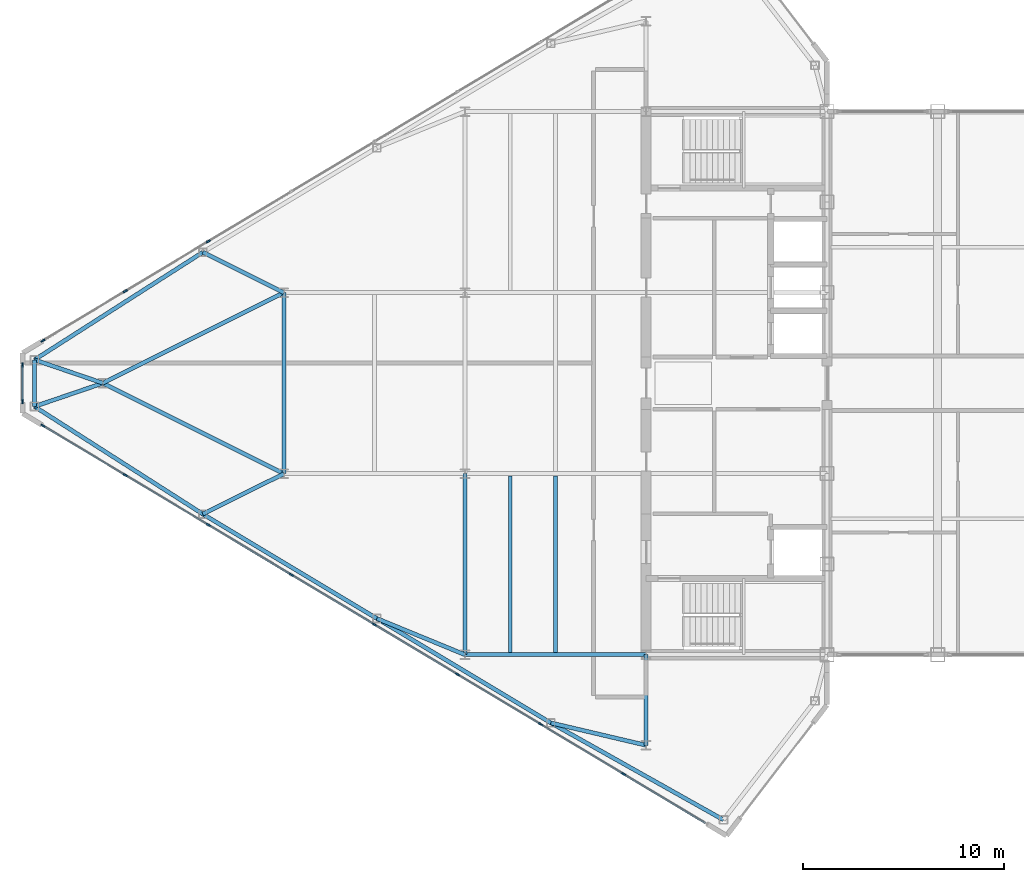
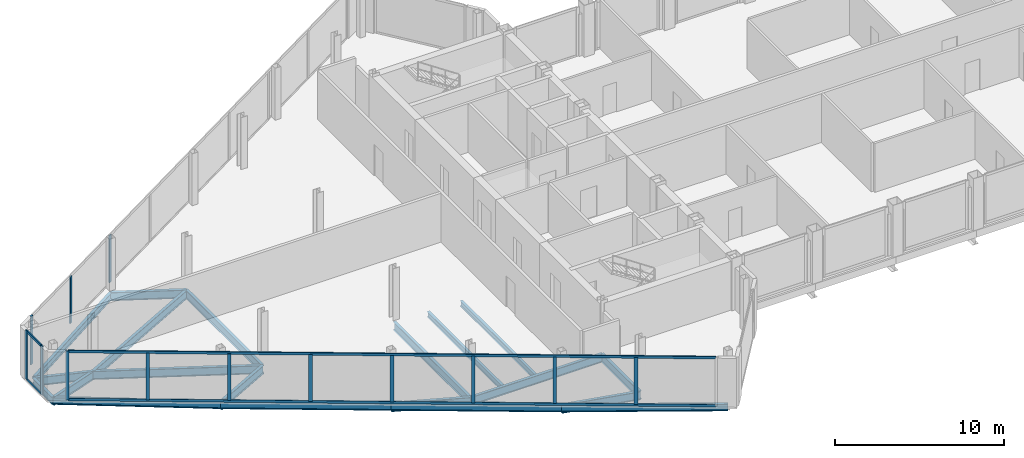
# One storey, part 8 of 28: 20 beams, 17 members, 3 elements without a shape of their own.
"""IFC4 building model written with IfcOpenShell, lengths in metres."""

from ifc_helpers import new_model, si_unit, direction, frame, origin, origin_2d, place, context, subcontext, project, spatial, rectangle, i_section, extrude, source, transform, mapped, material, layer, layer_set, material_profile, profile_set, type_object, type_shapes, element, aggregate, save


model = new_model("IFC4")

# Units and contexts
model_context = context("Model", 3, precision=1e-05, world=origin(), true_north=direction((0.0, 1.0)))
body_context = subcontext(model_context, "Body", "Model", "MODEL_VIEW")
ifc_project = project(units=[si_unit("LENGTHUNIT", "METRE"), si_unit("AREAUNIT", "SQUARE_METRE"), si_unit("VOLUMEUNIT", "CUBIC_METRE"), si_unit("PLANEANGLEUNIT", "RADIAN"), si_unit("MASSUNIT", "GRAM", prefix="KILO")], contexts=[model_context])

# Site, building, storey
site_placement = place(None, origin())
site = spatial("IfcSite", under=ifc_project, at=site_placement, CompositionType="ELEMENT")
building_placement = place(site_placement, origin())
building = spatial("IfcBuilding", under=site, at=building_placement, Name="Seokmaru Belvedere", CompositionType="ELEMENT")
storey_placement = place(building_placement, frame((0.0, 0.0, 261.89990234375)))
storey = spatial("IfcBuildingStorey", under=building, at=storey_placement, Name="L69", CompositionType="ELEMENT", Elevation=261.89990234375)

# Beams
ifc_material_1 = material(Name="Steel SM355 (355 MPa)", Category="steel")
ifc_material_profile_1 = material_profile(ifc_material_1, i_section(OverallWidth=0.199951171875, OverallDepth=0.60009765625, WebThickness=0.010986328125, FlangeThickness=0.01708984375, at=origin_2d()), Name="H-600x200x11x17")
ifc_profile_set_1 = profile_set([ifc_material_profile_1], Name="Steel SM355 (355 MPa)")
beam_type_1 = type_object("IfcBeamType", Name="Primary Floor Girder H-600", PredefinedType="BEAM", material=ifc_profile_set_1)
shared_shape_1 = source(origin(), body_context, "Body", "SweptSolid", [
    extrude(i_section(OverallWidth=0.199951171875, OverallDepth=0.60009765625, WebThickness=0.010986328125, FlangeThickness=0.01708984375, at=origin_2d()), origin(), (0.0, 0.0, 1.0), 9.0),
])
for number, where, z_axis, x_axis, name in (
    (1, (-45.5, -13.5, -0.52001953125), (0.0, 1.0, 0.0), (-1.0, 0.0, 0.0), "L69 W Interior Grid Girder 1"),
    (2, (-45.5, -13.5, -0.52001953125), (1.0, 0.0, 0.0), (0.0, 1.0, 0.0), "L69 W Wing Primary Girder 1"),
    (3, (-54.5, -4.5, -0.52001953125), (0.0, 1.0, 0.0), (-1.0, 0.0, 0.0), "L69 W Apex Frame Girder"),
):
    element("IfcBeam", number, at=place(storey_placement, frame(where, z_axis=z_axis, x_axis=x_axis)), inside=storey, type_object=beam_type_1, Name=name, PredefinedType="BEAM", context=body_context, shape_type="MappedRepresentation", body=[
        mapped(shared_shape_1, transform((0.0, 0.0, 0.0), scale=1.0)),
    ])
shared_shape_2 = source(origin(), body_context, "Body", "SweptSolid", [
    extrude(i_section(OverallWidth=0.199951171875, OverallDepth=0.60009765625, WebThickness=0.010986328125, FlangeThickness=0.01708984375, at=origin_2d()), origin(), (0.0, 0.0, 1.0), 10.062255859375),
])
for number, where, z_axis, x_axis, name in (
    (4, (-54.5, -4.5, -0.52001953125), (-0.894427191, 0.4472135955, 0.0), (-0.4472135955, -0.894427191, 0.0), "L69 W Apex Converging Girder 1"),
    (5, (-54.5, 4.5, -0.52001953125), (-0.894427191, -0.4472135955, 0.0), (0.4472135955, -0.894427191, 0.0), "L69 W Apex Converging Girder 2"),
):
    element("IfcBeam", number, at=place(storey_placement, frame(where, z_axis=z_axis, x_axis=x_axis)), inside=storey, type_object=beam_type_1, Name=name, PredefinedType="BEAM", context=body_context, shape_type="MappedRepresentation", body=[
        mapped(shared_shape_2, transform((0.0, 0.0, 0.0), scale=1.0)),
    ])
ifc_material_profile_2 = material_profile(ifc_material_1, i_section(OverallWidth=0.18505859375, OverallDepth=0.389892578125, WebThickness=0.008056640625, FlangeThickness=0.011962890625, at=origin_2d()), Name="H-390x185x8x12")
ifc_profile_set_2 = profile_set([ifc_material_profile_2], Name="Steel SM355 (355 MPa)")
beam_type_2 = type_object("IfcBeamType", Name="Secondary Floor Joist H-350", PredefinedType="JOIST", material=ifc_profile_set_2)
shared_shape_3 = source(origin(), body_context, "Body", "SweptSolid", [
    extrude(i_section(OverallWidth=0.18505859375, OverallDepth=0.389892578125, WebThickness=0.008056640625, FlangeThickness=0.011962890625, at=origin_2d()), origin(), (0.0, 0.0, 1.0), 8.7900390625),
])
type_shapes(beam_type_2, [shared_shape_3])
for number, where, z_axis, x_axis, name in (
    (6, (-43.25, -13.39501953125, -0.414794921875), (0.0, 1.0, 0.0), (-1.0, 0.0, 0.0), "L69 W Wing Inner Secondary Joist 1"),
    (7, (-41.0, -13.39501953125, -0.414794921875), (0.0, 1.0, 0.0), (-1.0, 0.0, 0.0), "L69 W Secondary Floor Joist 1"),
):
    element("IfcBeam", number, at=place(storey_placement, frame(where, z_axis=z_axis, x_axis=x_axis)), inside=storey, type_object=beam_type_2, Name=name, PredefinedType="JOIST", context=body_context, shape_type="MappedRepresentation", body=[
        mapped(shared_shape_3, transform((0.0, 0.0, 0.0), scale=1.0)),
    ])
shared_shape_4 = source(origin(), body_context, "Body", "SweptSolid", [
    extrude(i_section(OverallWidth=0.199951171875, OverallDepth=0.60009765625, WebThickness=0.010986328125, FlangeThickness=0.01708984375, at=origin_2d()), origin(), (0.0, 0.0, 1.0), 4.5),
])
beam_1_placement = place(storey_placement, frame((-36.5, -18.0, -0.52001953125), z_axis=(0.0, 1.0, 0.0), x_axis=(-1.0, 0.0, 0.0)))
element("IfcBeam", 8, at=beam_1_placement, inside=storey, type_object=beam_type_1, Name="L69 W Core Shoulder Girder S", PredefinedType="BEAM", context=body_context, shape_type="MappedRepresentation", body=[
    mapped(shared_shape_4, transform((0.0, 0.0, 0.0), scale=1.0)),
])
ifc_material_profile_3 = material_profile(ifc_material_1, i_section(OverallWidth=0.199951171875, OverallDepth=0.5, WebThickness=0.010009765625, FlangeThickness=0.01611328125, at=origin_2d()), Name="H-500x200x10x16")
ifc_profile_set_3 = profile_set([ifc_material_profile_3], Name="Steel SM355 (355 MPa)")
beam_type_3 = type_object("IfcBeamType", Name="Perimeter Spandrel Beam H-500", PredefinedType="SPANDREL", material=ifc_profile_set_3)
shared_shape_5 = source(origin(), body_context, "Body", "SweptSolid", [
    extrude(i_section(OverallWidth=0.199951171875, OverallDepth=0.5, WebThickness=0.010009765625, FlangeThickness=0.01611328125, at=origin_2d()), origin(), (0.0, 0.0, 1.0), 9.842041015625),
])
beam_2_placement = place(storey_placement, frame((-32.649658203125, -21.71044921875, -0.469970703125), z_axis=(-0.871782151818, 0.489893743349, 0.0), x_axis=(-0.489893743349, -0.871782151818, 0.0)))
element("IfcBeam", 9, at=beam_2_placement, inside=storey, type_object=beam_type_3, Name="L69 W Faceted Flank Spandrel S-1", PredefinedType="SPANDREL", context=body_context, shape_type="MappedRepresentation", body=[
    mapped(shared_shape_5, transform((0.0, 0.0, 0.0), scale=1.0)),
])
shared_shape_6 = source(origin(), body_context, "Body", "SweptSolid", [
    extrude(i_section(OverallWidth=0.199951171875, OverallDepth=0.5, WebThickness=0.010009765625, FlangeThickness=0.01611328125, at=origin_2d()), origin(), (0.0, 0.0, 1.0), 10.087646484375),
])
for number, where, z_axis, x_axis, name in (
    (10, (-41.229736328125, -16.888916015625, -0.469970703125), (-0.857499332045, 0.514485078056, 0.0), (-0.514485078056, -0.857499332045, 0.0), "L69 W Faceted Flank Spandrel S-2"),
    (11, (-49.8798828125, -11.698974609375, -0.469970703125), (-0.857488654804, 0.514502873542, 0.0), (-0.514502873542, -0.857488654804, 0.0), "L69 W Faceted Flank Spandrel S-3"),
):
    element("IfcBeam", number, at=place(storey_placement, frame(where, z_axis=z_axis, x_axis=x_axis)), inside=storey, type_object=beam_type_3, Name=name, PredefinedType="SPANDREL", context=body_context, shape_type="MappedRepresentation", body=[
        mapped(shared_shape_6, transform((0.0, 0.0, 0.0), scale=1.0)),
    ])
shared_shape_7 = source(origin(), body_context, "Body", "SweptSolid", [
    extrude(i_section(OverallWidth=0.199951171875, OverallDepth=0.5, WebThickness=0.010009765625, FlangeThickness=0.01611328125, at=origin_2d()), origin(), (0.0, 0.0, 1.0), 9.932861328125),
])
for number, where, z_axis, x_axis, name in (
    (12, (-58.530029296875, -6.5087890625, -0.469970703125), (-0.842651960357, 0.538458609093, 0.0), (-0.538458609093, -0.842651960357, 0.0), "L69 W Faceted Flank Spandrel S-4"),
    (13, (-58.530029296875, 6.5087890625, -0.469970703125), (-0.842651960357, -0.538458609093, 0.0), (0.538458609093, -0.842651960357, 0.0), "L69 W Faceted Flank Spandrel N-4"),
):
    element("IfcBeam", number, at=place(storey_placement, frame(where, z_axis=z_axis, x_axis=x_axis)), inside=storey, type_object=beam_type_3, Name=name, PredefinedType="SPANDREL", context=body_context, shape_type="MappedRepresentation", body=[
        mapped(shared_shape_7, transform((0.0, 0.0, 0.0), scale=1.0)),
    ])
shared_shape_8 = source(origin(), body_context, "Body", "SweptSolid", [
    extrude(i_section(OverallWidth=0.199951171875, OverallDepth=0.5, WebThickness=0.010009765625, FlangeThickness=0.01611328125, at=origin_2d()), origin(), (0.0, 0.0, 1.0), 2.32080078125),
])
type_shapes(beam_type_3, [shared_shape_5, shared_shape_6, shared_shape_7, shared_shape_8])
beam_3_placement = place(storey_placement, frame((-66.89990234375, -1.160400390625, -0.469970703125), z_axis=(0.0, 1.0, 0.0), x_axis=(-1.0, 0.0, 0.0)))
element("IfcBeam", 14, at=beam_3_placement, inside=storey, type_object=beam_type_3, Name="L69 W Faceted Apex Spandrel", PredefinedType="SPANDREL", context=body_context, shape_type="MappedRepresentation", body=[
    mapped(shared_shape_8, transform((0.0, 0.0, 0.0), scale=1.0)),
])
shared_shape_9 = source(origin(), body_context, "Body", "SweptSolid", [
    extrude(i_section(OverallWidth=0.199951171875, OverallDepth=0.60009765625, WebThickness=0.010986328125, FlangeThickness=0.01708984375, at=origin_2d()), origin(), (0.0, 0.0, 1.0), 4.8583984375),
])
beam_4_placement = place(storey_placement, frame((-41.229736328125, -16.888916015625, -0.52001953125), z_axis=(0.97349948295, -0.228689214211, 0.0), x_axis=(0.228689214211, 0.97349948295, 0.0)))
element("IfcBeam", 15, at=beam_4_placement, inside=storey, type_object=beam_type_1, Name="L69 W Flank Radial Floor Girder S-1", PredefinedType="BEAM", context=body_context, shape_type="MappedRepresentation", body=[
    mapped(shared_shape_9, transform((0.0, 0.0, 0.0), scale=1.0)),
])
shared_shape_10 = source(origin(), body_context, "Body", "SweptSolid", [
    extrude(i_section(OverallWidth=0.199951171875, OverallDepth=0.60009765625, WebThickness=0.010986328125, FlangeThickness=0.01708984375, at=origin_2d()), origin(), (0.0, 0.0, 1.0), 4.73583984375),
])
beam_5_placement = place(storey_placement, frame((-49.8798828125, -11.698974609375, -0.52001953125), z_axis=(0.924860562953, -0.380306375301, 0.0), x_axis=(0.380306375301, 0.924860562953, 0.0)))
element("IfcBeam", 16, at=beam_5_placement, inside=storey, type_object=beam_type_1, Name="L69 W Flank Radial Floor Girder S-2", PredefinedType="BEAM", context=body_context, shape_type="MappedRepresentation", body=[
    mapped(shared_shape_10, transform((0.0, 0.0, 0.0), scale=1.0)),
])
shared_shape_11 = source(origin(), body_context, "Body", "SweptSolid", [
    extrude(i_section(OverallWidth=0.199951171875, OverallDepth=0.60009765625, WebThickness=0.010986328125, FlangeThickness=0.01708984375, at=origin_2d()), origin(), (0.0, 0.0, 1.0), 4.5029296875),
])
for number, where, z_axis, x_axis, name in (
    (17, (-58.530029296875, -6.5087890625, -0.52001953125), (0.894979532585, 0.446107202648, 0.0), (-0.446107202648, 0.894979532585, 0.0), "L69 W Flank Radial Floor Girder S-3"),
    (18, (-58.530029296875, 6.5087890625, -0.52001953125), (0.894979532585, -0.446107202648, 0.0), (0.446107202648, 0.894979532585, 0.0), "L69 W Flank Radial Floor Girder N-3"),
):
    element("IfcBeam", number, at=place(storey_placement, frame(where, z_axis=z_axis, x_axis=x_axis)), inside=storey, type_object=beam_type_1, Name=name, PredefinedType="BEAM", context=body_context, shape_type="MappedRepresentation", body=[
        mapped(shared_shape_11, transform((0.0, 0.0, 0.0), scale=1.0)),
    ])
shared_shape_12 = source(origin(), body_context, "Body", "SweptSolid", [
    extrude(i_section(OverallWidth=0.199951171875, OverallDepth=0.60009765625, WebThickness=0.010986328125, FlangeThickness=0.01708984375, at=origin_2d()), origin(), (0.0, 0.0, 1.0), 3.592529296875),
])
type_shapes(beam_type_1, [shared_shape_1, shared_shape_2, shared_shape_4, shared_shape_9, shared_shape_10, shared_shape_11, shared_shape_12])
for number, where, z_axis, x_axis, name in (
    (19, (-66.89990234375, -1.160400390625, -0.52001953125), (0.946395973048, 0.323008764893, 0.0), (-0.323008764893, 0.946395973048, 0.0), "L69 W Apex Radial Floor Girder 1"),
    (20, (-66.89990234375, 1.160400390625, -0.52001953125), (0.946395973048, -0.323008764893, 0.0), (0.323008764893, 0.946395973048, 0.0), "L69 W Apex Radial Floor Girder 2"),
):
    element("IfcBeam", number, at=place(storey_placement, frame(where, z_axis=z_axis, x_axis=x_axis)), inside=storey, type_object=beam_type_1, Name=name, PredefinedType="BEAM", context=body_context, shape_type="MappedRepresentation", body=[
        mapped(shared_shape_12, transform((0.0, 0.0, 0.0), scale=1.0)),
    ])

# Curtain wall, members
ifc_material_2 = material(Name="Bronze Triple Insulating Glass", Category="glass")
ifc_layer = layer(ifc_material_2, 0.219970703125)
ifc_layer_set = layer_set([ifc_layer], Name="Bronze Triple Insulating Glass")
curtain_wall_type = type_object("IfcCurtainWallType", Name="Sky-Gate Bridge Panorama Curtain Wall System CW-6", PredefinedType="NOTDEFINED", material=ifc_layer_set)
curtain_wall_1_placement = place(storey_placement, origin())
curtain_wall_1 = element("IfcCurtainWall", 21, at=curtain_wall_1_placement, inside=storey, type_object=curtain_wall_type, Name="L69 Curtain Wall WF5", PredefinedType="NOTDEFINED")
ifc_material_3 = material(Name="Anodised Bronze Aluminium", Category="aluminium")
ifc_material_profile_4 = material_profile(ifc_material_3, rectangle(XDim=0.074951171875, YDim=0.179931640625, at=origin_2d()), Name="CW-T-75x180")
ifc_profile_set_4 = profile_set([ifc_material_profile_4], Name="Anodised Bronze Aluminium")
member_type_1 = type_object("IfcMemberType", Name="Bronze Unitised Transom 75x180", PredefinedType="USERDEFINED", material=ifc_profile_set_4)
shared_shape_13 = source(origin(), body_context, "Body", "SweptSolid", [
    extrude(rectangle(XDim=0.074951171875, YDim=0.179931640625, at=origin_2d()), origin(), (0.0, 0.0, 1.0), 38.356689453125),
])
member_1_placement = place(storey_placement, frame((-66.4453125, -2.1328125, 0.03759765625), z_axis=(0.857492925713, -0.514495755428, 0.0), x_axis=(0.514495755428, 0.857492925713, 0.0)))
member_1 = element("IfcMember", 22, at=member_1_placement, type_object=member_type_1, Name="CW:L69:WF5 Continuous Transom 1", ObjectType="TRANSOM", PredefinedType="USERDEFINED", context=body_context, shape_type="MappedRepresentation", body=[
    mapped(shared_shape_13, transform((0.0, 0.0, 0.0), scale=1.0)),
])
member_2_placement = place(storey_placement, frame((-66.4453125, -2.1328125, 3.49267578125), z_axis=(0.857492925713, -0.514495755428, 0.0), x_axis=(0.514495755428, 0.857492925713, 0.0)))
member_2 = element("IfcMember", 23, at=member_2_placement, type_object=member_type_1, Name="CW:L69:WF5 Continuous Transom 2", ObjectType="TRANSOM", PredefinedType="USERDEFINED", context=body_context, shape_type="MappedRepresentation", body=[
    mapped(shared_shape_13, transform((0.0, 0.0, 0.0), scale=1.0)),
])

curtain_wall_2_placement = place(storey_placement, origin())
curtain_wall_2 = element("IfcCurtainWall", 24, at=curtain_wall_2_placement, inside=storey, type_object=curtain_wall_type, Name="L69 Curtain Wall WF4", PredefinedType="NOTDEFINED")
shared_shape_14 = source(origin(), body_context, "Body", "SweptSolid", [
    extrude(rectangle(XDim=0.074951171875, YDim=0.179931640625, at=origin_2d()), origin(), (0.0, 0.0, 1.0), 1.740234375),
])
type_shapes(member_type_1, [shared_shape_13, shared_shape_14])
member_3_placement = place(storey_placement, frame((-67.5, 0.8701171875, 0.03759765625), z_axis=(0.0, -1.0, 0.0), x_axis=(1.0, 0.0, 0.0)))
member_3 = element("IfcMember", 25, at=member_3_placement, type_object=member_type_1, Name="CW:L69:WF4 Continuous Transom 1", ObjectType="TRANSOM", PredefinedType="USERDEFINED", context=body_context, shape_type="MappedRepresentation", body=[
    mapped(shared_shape_14, transform((0.0, 0.0, 0.0), scale=1.0)),
])
member_4_placement = place(storey_placement, frame((-67.5, 0.8701171875, 3.49267578125), z_axis=(0.0, -1.0, 0.0), x_axis=(1.0, 0.0, 0.0)))
member_4 = element("IfcMember", 26, at=member_4_placement, type_object=member_type_1, Name="CW:L69:WF4 Continuous Transom 2", ObjectType="TRANSOM", PredefinedType="USERDEFINED", context=body_context, shape_type="MappedRepresentation", body=[
    mapped(shared_shape_14, transform((0.0, 0.0, 0.0), scale=1.0)),
])

# Curtain wall, member
curtain_wall_3_placement = place(storey_placement, origin())
curtain_wall_3 = element("IfcCurtainWall", 27, at=curtain_wall_3_placement, inside=storey, type_object=curtain_wall_type, Name="L69 Curtain Wall WF3", PredefinedType="NOTDEFINED")
ifc_material_profile_5 = material_profile(ifc_material_3, rectangle(XDim=0.080078125, YDim=0.219970703125, at=origin_2d()), Name="CW-M-80x220")
ifc_profile_set_5 = profile_set([ifc_material_profile_5], Name="Anodised Bronze Aluminium")
member_type_2 = type_object("IfcMemberType", Name="Bronze Unitised Mullion 80x220", PredefinedType="MULLION", material=ifc_profile_set_5)
shared_shape_15 = source(origin(), body_context, "Body", "SweptSolid", [
    extrude(rectangle(XDim=0.080078125, YDim=0.219970703125, at=origin_2d()), origin(), (0.0, 0.0, 1.0), 3.530029296875),
])
member_5_placement = place(storey_placement, frame((-66.4794921875, 2.1123046875, 0.0), z_axis=(0.0, 0.0, 1.0), x_axis=(0.514494909364, -0.85749343335, 0.0)))
member_5 = element("IfcMember", 28, at=member_5_placement, type_object=member_type_2, Name="CW:L69:WF3 Mullion 9", PredefinedType="MULLION", context=body_context, shape_type="MappedRepresentation", body=[
    mapped(shared_shape_15, transform((0.0, 0.0, 0.0), scale=1.0)),
])

# Member
member_6_placement = place(storey_placement, frame((-67.5, 0.909912109375, 0.0), z_axis=(0.0, 0.0, 1.0), x_axis=(1.0, 0.0, 0.0)))
member_6 = element("IfcMember", 29, at=member_6_placement, type_object=member_type_2, Name="CW:L69:WF4 Mullion 1", PredefinedType="MULLION", context=body_context, shape_type="MappedRepresentation", body=[
    mapped(shared_shape_15, transform((0.0, 0.0, 0.0), scale=1.0)),
])

member_7_placement = place(storey_placement, frame((-67.5, -0.909912109375, 0.0), z_axis=(0.0, 0.0, 1.0), x_axis=(1.0, 0.0, 0.0)))
member_7 = element("IfcMember", 30, at=member_7_placement, type_object=member_type_2, Name="CW:L69:WF4 Mullion 2", PredefinedType="MULLION", context=body_context, shape_type="MappedRepresentation", body=[
    mapped(shared_shape_15, transform((0.0, 0.0, 0.0), scale=1.0)),
])

aggregate(curtain_wall_2, [member_6, member_7, member_3, member_4])

member_8_placement = place(storey_placement, frame((-66.4794921875, -2.1123046875, 0.0), z_axis=(0.0, 0.0, 1.0), x_axis=(0.514494909364, 0.85749343335, 0.0)))
member_8 = element("IfcMember", 31, at=member_8_placement, type_object=member_type_2, Name="CW:L69:WF5 Mullion 1", PredefinedType="MULLION", context=body_context, shape_type="MappedRepresentation", body=[
    mapped(shared_shape_15, transform((0.0, 0.0, 0.0), scale=1.0)),
])

shared_shape_16 = source(origin(), body_context, "Body", "SweptSolid", [
    extrude(rectangle(XDim=0.080078125, YDim=0.219970703125, at=origin_2d()), origin(), (0.0, 0.0, 1.0), 3.3798828125),
])
type_shapes(member_type_2, [shared_shape_15, shared_shape_16])
member_9_placement = place(storey_placement, frame((-58.257080078125, 7.0458984375, 0.0751953125), z_axis=(0.0, 0.0, 1.0), x_axis=(0.514494909364, -0.85749343335, 0.0)))
member_9 = element("IfcMember", 32, at=member_9_placement, type_object=member_type_2, Name="CW:L69:WF3 Mullion 7", PredefinedType="MULLION", context=body_context, shape_type="MappedRepresentation", body=[
    mapped(shared_shape_16, transform((0.0, 0.0, 0.0), scale=1.0)),
])

member_10_placement = place(storey_placement, frame((-62.385498046875, 4.56884765625, 0.0751953125), z_axis=(0.0, 0.0, 1.0), x_axis=(0.514494909364, -0.85749343335, 0.0)))
member_10 = element("IfcMember", 33, at=member_10_placement, type_object=member_type_2, Name="CW:L69:WF3 Mullion 8", PredefinedType="MULLION", context=body_context, shape_type="MappedRepresentation", body=[
    mapped(shared_shape_16, transform((0.0, 0.0, 0.0), scale=1.0)),
])

aggregate(curtain_wall_3, [member_9, member_10, member_5])

member_11_placement = place(storey_placement, frame((-62.385498046875, -4.56884765625, 0.0751953125), z_axis=(0.0, 0.0, 1.0), x_axis=(0.514494909364, 0.85749343335, 0.0)))
member_11 = element("IfcMember", 34, at=member_11_placement, type_object=member_type_2, Name="CW:L69:WF5 Mullion 2", PredefinedType="MULLION", context=body_context, shape_type="MappedRepresentation", body=[
    mapped(shared_shape_16, transform((0.0, 0.0, 0.0), scale=1.0)),
])

member_12_placement = place(storey_placement, frame((-58.257080078125, -7.0458984375, 0.0751953125), z_axis=(0.0, 0.0, 1.0), x_axis=(0.514494909364, 0.85749343335, 0.0)))
member_12 = element("IfcMember", 35, at=member_12_placement, type_object=member_type_2, Name="CW:L69:WF5 Mullion 3", PredefinedType="MULLION", context=body_context, shape_type="MappedRepresentation", body=[
    mapped(shared_shape_16, transform((0.0, 0.0, 0.0), scale=1.0)),
])

member_13_placement = place(storey_placement, frame((-54.12841796875, -9.52294921875, 0.0751953125), z_axis=(0.0, 0.0, 1.0), x_axis=(0.514494909364, 0.85749343335, 0.0)))
member_13 = element("IfcMember", 36, at=member_13_placement, type_object=member_type_2, Name="CW:L69:WF5 Mullion 4", PredefinedType="MULLION", context=body_context, shape_type="MappedRepresentation", body=[
    mapped(shared_shape_16, transform((0.0, 0.0, 0.0), scale=1.0)),
])

member_14_placement = place(storey_placement, frame((-50.0, -12.0, 0.0751953125), z_axis=(0.0, 0.0, 1.0), x_axis=(0.514494909364, 0.85749343335, 0.0)))
member_14 = element("IfcMember", 37, at=member_14_placement, type_object=member_type_2, Name="CW:L69:WF5 Mullion 5", PredefinedType="MULLION", context=body_context, shape_type="MappedRepresentation", body=[
    mapped(shared_shape_16, transform((0.0, 0.0, 0.0), scale=1.0)),
])

member_15_placement = place(storey_placement, frame((-45.87158203125, -14.47705078125, 0.0751953125), z_axis=(0.0, 0.0, 1.0), x_axis=(0.514494909364, 0.85749343335, 0.0)))
member_15 = element("IfcMember", 38, at=member_15_placement, type_object=member_type_2, Name="CW:L69:WF5 Mullion 6", PredefinedType="MULLION", context=body_context, shape_type="MappedRepresentation", body=[
    mapped(shared_shape_16, transform((0.0, 0.0, 0.0), scale=1.0)),
])

member_16_placement = place(storey_placement, frame((-41.742919921875, -16.9541015625, 0.0751953125), z_axis=(0.0, 0.0, 1.0), x_axis=(0.514494909364, 0.85749343335, 0.0)))
member_16 = element("IfcMember", 39, at=member_16_placement, type_object=member_type_2, Name="CW:L69:WF5 Mullion 7", PredefinedType="MULLION", context=body_context, shape_type="MappedRepresentation", body=[
    mapped(shared_shape_16, transform((0.0, 0.0, 0.0), scale=1.0)),
])

member_17_placement = place(storey_placement, frame((-37.614501953125, -19.43115234375, 0.0751953125), z_axis=(0.0, 0.0, 1.0), x_axis=(0.514494909364, 0.85749343335, 0.0)))
member_17 = element("IfcMember", 40, at=member_17_placement, type_object=member_type_2, Name="CW:L69:WF5 Mullion 8", PredefinedType="MULLION", context=body_context, shape_type="MappedRepresentation", body=[
    mapped(shared_shape_16, transform((0.0, 0.0, 0.0), scale=1.0)),
])

aggregate(curtain_wall_1, [member_8, member_11, member_12, member_13, member_14, member_15, member_16, member_17, member_1, member_2])

save(model, "model.ifc")
